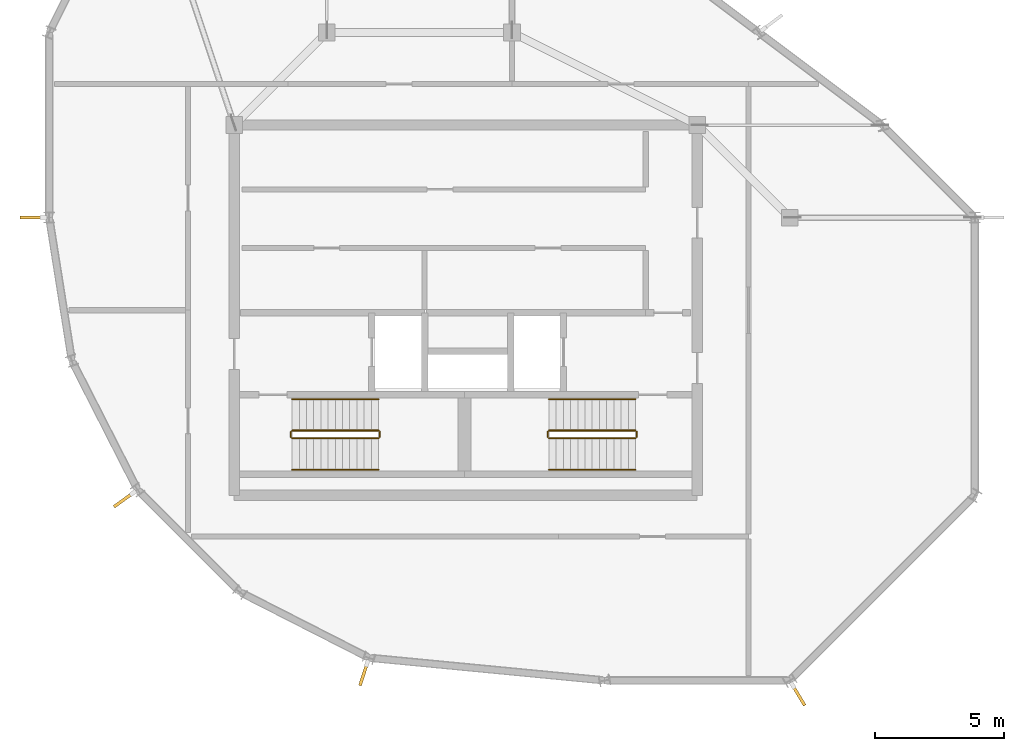
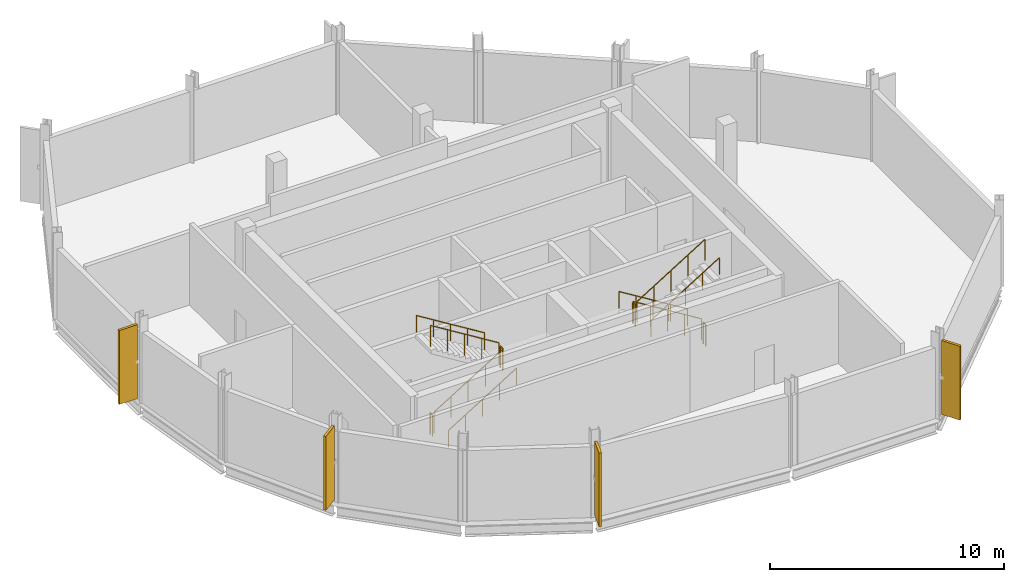
# One storey, part 4 of 5: 12 railings, 4 shading devices.
"""IFC4 building model written with IfcOpenShell, lengths in metres."""

from ifc_helpers import new_model, si_unit, direction, frame, origin, origin_2d, place, context, subcontext, project, spatial, rectangle, circle, extrude, material, type_object, element, save


model = new_model("IFC4")

# Units and contexts
model_context = context("Model", 3, precision=1e-05, world=origin(), true_north=direction((0.0, 1.0)))
body_context = subcontext(model_context, "Body", "Model", "MODEL_VIEW")
ifc_project = project(units=[si_unit("LENGTHUNIT", "METRE"), si_unit("AREAUNIT", "SQUARE_METRE"), si_unit("VOLUMEUNIT", "CUBIC_METRE"), si_unit("PLANEANGLEUNIT", "RADIAN"), si_unit("MASSUNIT", "GRAM", prefix="KILO")], contexts=[model_context])

# Site, building, storey
site_placement = place(None, origin())
site = spatial("IfcSite", under=ifc_project, at=site_placement, CompositionType="ELEMENT")
building_placement = place(site_placement, origin())
building = spatial("IfcBuilding", under=site, at=building_placement, Name="Solnavia Interchange Tower", CompositionType="ELEMENT")
storey_placement = place(building_placement, frame((0.0, 0.0, 313.199951171875)))
storey = spatial("IfcBuildingStorey", under=building, at=storey_placement, Name="C03", CompositionType="ELEMENT", Elevation=313.199951171875)

# Shading devices
ifc_material_1 = material(Name="Anodised Aluminium Fin", Category="aluminium")
shading_device_type = type_object("IfcShadingDeviceType", Name="CrownFin-Alu-900", PredefinedType="USERDEFINED", material=ifc_material_1)
for number, where, z_axis, x_axis, name in (
    (1, (6.52001953125, 21.60009765625, 0.199951171875), (0.0, 0.0, 1.0), (-1.0, 0.0, 0.0), "FIN-C03-F09 Crown ring vertical aerofoil fin"),
    (2, (10.087890625, 10.620361328125, 0.199951171875), (0.0, 0.0, 1.0), (-0.809016994375, -0.587785252292, 0.0), "FIN-C03-F11 Crown ring vertical aerofoil fin"),
    (3, (19.427978515625, 3.834228515625, 0.199951171875), (0.0, 0.0, 1.0), (-0.309016994375, -0.951056516295, 0.0), "FIN-C03-F13 Crown ring vertical aerofoil fin"),
    (4, (36.349853515625, 3.016845703125, 0.199951171875), (0.0, 0.0, 1.0), (0.514439533782, -0.857526656194, 0.0), "FIN-C03-F15 Crown ring vertical aerofoil fin"),
):
    element("IfcShadingDevice", number, at=place(storey_placement, frame(where, z_axis=z_axis, x_axis=x_axis)), inside=storey, type_object=shading_device_type, Name=name, ObjectType="FIN", PredefinedType="USERDEFINED", context=body_context, shape_type="SweptSolid", body=[
        extrude(rectangle(XDim=0.89990234375, YDim=0.1201171875, at=origin_2d()), origin(), (0.0, 0.0, 1.0), 3.85009765625),
    ])

# Railings
ifc_material_2 = material(Name="Painted Steel Balustrade", Category="steel")
railing_type_1 = type_object("IfcRailingType", Name="Railing-StairGuard-1100", PredefinedType="GUARDRAIL", material=ifc_material_2)
railing_1_placement = place(storey_placement, frame((16.64990234375, 13.02001953125, 0.173095703125)))
element("IfcRailing", 5, at=railing_1_placement, inside=storey, type_object=railing_type_1, Name="C03 ST-1 stair guard 1", PredefinedType="GUARDRAIL", context=body_context, shape_type="SweptSolid", body=[
    extrude(circle(Radius=0.02392578125, at=origin_2d()), frame((0.0, 0.0, 1.09619140625), z_axis=(0.850623216509, 0.0, 0.525775754039), x_axis=(0.0, 1.0, 0.0)), (0.0, 0.0, 1.0), 3.9501953125),
    extrude(circle(Radius=0.02099609375, at=origin_2d()), origin(), (0.0, 0.0, 1.0), 1.072021484375),
    extrude(circle(Radius=0.02099609375, at=origin_2d()), frame((0.840087890625, 0.0, 0.519287109375)), (0.0, 0.0, 1.0), 1.072021484375),
    extrude(circle(Radius=0.02099609375, at=origin_2d()), frame((1.68017578125, 0.0, 1.03857421875)), (0.0, 0.0, 1.0), 1.072021484375),
    extrude(circle(Radius=0.02099609375, at=origin_2d()), frame((2.52001953125, 0.0, 1.5576171875)), (0.0, 0.0, 1.0), 1.072021484375),
    extrude(circle(Radius=0.02099609375, at=origin_2d()), frame((3.360107421875, 0.0, 2.076904296875)), (0.0, 0.0, 1.0), 1.072021484375),
])
railing_2_placement = place(storey_placement, frame((20.06005859375, 13.070068359375, 2.25)))
element("IfcRailing", 6, at=railing_2_placement, inside=storey, type_object=railing_type_1, Name="C03 ST-1 stair guard 2", PredefinedType="GUARDRAIL", context=body_context, shape_type="SweptSolid", body=[
    extrude(circle(Radius=0.02392578125, at=origin_2d()), frame((0.0, 0.0, 1.09619140625), z_axis=(0.0, 1.0, 0.0), x_axis=(-1.0, 0.0, 0.0)), (0.0, 0.0, 1.0), 0.199951171875),
    extrude(circle(Radius=0.02099609375, at=origin_2d()), origin(), (0.0, 0.0, 1.0), 1.072021484375),
    extrude(circle(Radius=0.02099609375, at=origin_2d()), frame((0.0, 0.199951171875, 0.0)), (0.0, 0.0, 1.0), 1.072021484375),
])
railing_3_placement = place(storey_placement, frame((20.010009765625, 13.320068359375, 2.423095703125)))
element("IfcRailing", 7, at=railing_3_placement, inside=storey, type_object=railing_type_1, Name="C03 ST-1 stair guard 3", PredefinedType="GUARDRAIL", context=body_context, shape_type="SweptSolid", body=[
    extrude(circle(Radius=0.02392578125, at=origin_2d()), frame((0.0, 0.0, 1.09619140625), z_axis=(-0.850623216509, 0.0, 0.525775754039), x_axis=(0.0, -1.0, 0.0)), (0.0, 0.0, 1.0), 3.9501953125),
    extrude(circle(Radius=0.02099609375, at=origin_2d()), origin(), (0.0, 0.0, 1.0), 1.072021484375),
    extrude(circle(Radius=0.02099609375, at=origin_2d()), frame((-0.840087890625, 0.0, 0.519287109375)), (0.0, 0.0, 1.0), 1.072021484375),
    extrude(circle(Radius=0.02099609375, at=origin_2d()), frame((-1.68017578125, 0.0, 1.03857421875)), (0.0, 0.0, 1.0), 1.072021484375),
    extrude(circle(Radius=0.02099609375, at=origin_2d()), frame((-2.52001953125, 0.0, 1.5576171875)), (0.0, 0.0, 1.0), 1.072021484375),
    extrude(circle(Radius=0.02099609375, at=origin_2d()), frame((-3.360107421875, 0.0, 2.076904296875)), (0.0, 0.0, 1.0), 1.072021484375),
])
railing_4_placement = place(storey_placement, frame((16.60009765625, 13.070068359375, 0.0)))
element("IfcRailing", 8, at=railing_4_placement, inside=storey, type_object=railing_type_1, Name="C03 ST-1 stair guard 4", PredefinedType="GUARDRAIL", context=body_context, shape_type="SweptSolid", body=[
    extrude(circle(Radius=0.02392578125, at=origin_2d()), frame((0.0, 0.0, 1.09619140625), z_axis=(0.0, 1.0, 0.0), x_axis=(-1.0, 0.0, 0.0)), (0.0, 0.0, 1.0), 0.199951171875),
    extrude(circle(Radius=0.02099609375, at=origin_2d()), origin(), (0.0, 0.0, 1.0), 1.072021484375),
    extrude(circle(Radius=0.02099609375, at=origin_2d()), frame((0.0, 0.199951171875, 0.0)), (0.0, 0.0, 1.0), 1.072021484375),
])
railing_5_placement = place(storey_placement, frame((30.0, 13.320068359375, 0.173095703125)))
element("IfcRailing", 9, at=railing_5_placement, inside=storey, type_object=railing_type_1, Name="C03 ST-2 stair guard 1", PredefinedType="GUARDRAIL", context=body_context, shape_type="SweptSolid", body=[
    extrude(circle(Radius=0.02392578125, at=origin_2d()), frame((0.0, 0.0, 1.09619140625), z_axis=(-0.850623216509, 0.0, 0.525775754039), x_axis=(0.0, -1.0, 0.0)), (0.0, 0.0, 1.0), 3.9501953125),
    extrude(circle(Radius=0.02099609375, at=origin_2d()), origin(), (0.0, 0.0, 1.0), 1.072021484375),
    extrude(circle(Radius=0.02099609375, at=origin_2d()), frame((-0.840087890625, 0.0, 0.519287109375)), (0.0, 0.0, 1.0), 1.072021484375),
    extrude(circle(Radius=0.02099609375, at=origin_2d()), frame((-1.68017578125, 0.0, 1.03857421875)), (0.0, 0.0, 1.0), 1.072021484375),
    extrude(circle(Radius=0.02099609375, at=origin_2d()), frame((-2.52001953125, 0.0, 1.5576171875)), (0.0, 0.0, 1.0), 1.072021484375),
    extrude(circle(Radius=0.02099609375, at=origin_2d()), frame((-3.360107421875, 0.0, 2.076904296875)), (0.0, 0.0, 1.0), 1.072021484375),
])
railing_6_placement = place(storey_placement, frame((26.590087890625, 13.27001953125, 2.25)))
element("IfcRailing", 10, at=railing_6_placement, inside=storey, type_object=railing_type_1, Name="C03 ST-2 stair guard 2", PredefinedType="GUARDRAIL", context=body_context, shape_type="SweptSolid", body=[
    extrude(circle(Radius=0.02392578125, at=origin_2d()), frame((0.0, 0.0, 1.09619140625), z_axis=(0.0, -1.0, 0.0), x_axis=(1.0, 0.0, 0.0)), (0.0, 0.0, 1.0), 0.199951171875),
    extrude(circle(Radius=0.02099609375, at=origin_2d()), origin(), (0.0, 0.0, 1.0), 1.072021484375),
    extrude(circle(Radius=0.02099609375, at=origin_2d()), frame((0.0, -0.199951171875, 0.0)), (0.0, 0.0, 1.0), 1.072021484375),
])
railing_7_placement = place(storey_placement, frame((26.639892578125, 13.02001953125, 2.423095703125)))
element("IfcRailing", 11, at=railing_7_placement, inside=storey, type_object=railing_type_1, Name="C03 ST-2 stair guard 3", PredefinedType="GUARDRAIL", context=body_context, shape_type="SweptSolid", body=[
    extrude(circle(Radius=0.02392578125, at=origin_2d()), frame((0.0, 0.0, 1.09619140625), z_axis=(0.850623216509, 0.0, 0.525775754039), x_axis=(0.0, 1.0, 0.0)), (0.0, 0.0, 1.0), 3.9501953125),
    extrude(circle(Radius=0.02099609375, at=origin_2d()), origin(), (0.0, 0.0, 1.0), 1.072021484375),
    extrude(circle(Radius=0.02099609375, at=origin_2d()), frame((0.840087890625, 0.0, 0.519287109375)), (0.0, 0.0, 1.0), 1.072021484375),
    extrude(circle(Radius=0.02099609375, at=origin_2d()), frame((1.68017578125, 0.0, 1.03857421875)), (0.0, 0.0, 1.0), 1.072021484375),
    extrude(circle(Radius=0.02099609375, at=origin_2d()), frame((2.52001953125, 0.0, 1.5576171875)), (0.0, 0.0, 1.0), 1.072021484375),
    extrude(circle(Radius=0.02099609375, at=origin_2d()), frame((3.360107421875, 0.0, 2.076904296875)), (0.0, 0.0, 1.0), 1.072021484375),
])
railing_8_placement = place(storey_placement, frame((30.050048828125, 13.27001953125, 0.0)))
element("IfcRailing", 12, at=railing_8_placement, inside=storey, type_object=railing_type_1, Name="C03 ST-2 stair guard 4", PredefinedType="GUARDRAIL", context=body_context, shape_type="SweptSolid", body=[
    extrude(circle(Radius=0.02392578125, at=origin_2d()), frame((0.0, 0.0, 1.09619140625), z_axis=(0.0, -1.0, 0.0), x_axis=(1.0, 0.0, 0.0)), (0.0, 0.0, 1.0), 0.199951171875),
    extrude(circle(Radius=0.02099609375, at=origin_2d()), origin(), (0.0, 0.0, 1.0), 1.072021484375),
    extrude(circle(Radius=0.02099609375, at=origin_2d()), frame((0.0, -0.199951171875, 0.0)), (0.0, 0.0, 1.0), 1.072021484375),
])
ifc_material_3 = material(Name="Brushed Stainless Steel", Category="steel")
railing_type_2 = type_object("IfcRailingType", Name="Railing-StairHandrail-900", PredefinedType="HANDRAIL", material=ifc_material_3)
railing_9_placement = place(storey_placement, frame((16.64990234375, 11.800048828125, 0.173095703125)))
element("IfcRailing", 13, at=railing_9_placement, inside=storey, type_object=railing_type_2, Name="C03 ST-1 stair handrail 1", PredefinedType="HANDRAIL", context=body_context, shape_type="SweptSolid", body=[
    extrude(circle(Radius=0.02392578125, at=origin_2d()), frame((0.0, 0.0, 0.8759765625), z_axis=(0.850623216509, 0.0, 0.525775754039), x_axis=(0.0, 1.0, 0.0)), (0.0, 0.0, 1.0), 3.9501953125),
    extrude(circle(Radius=0.02099609375, at=origin_2d()), origin(), (0.0, 0.0, 1.0), 0.851806640625),
    extrude(circle(Radius=0.02099609375, at=origin_2d()), frame((0.840087890625, 0.0, 0.519287109375)), (0.0, 0.0, 1.0), 0.851806640625),
    extrude(circle(Radius=0.02099609375, at=origin_2d()), frame((1.68017578125, 0.0, 1.03857421875)), (0.0, 0.0, 1.0), 0.851806640625),
    extrude(circle(Radius=0.02099609375, at=origin_2d()), frame((2.52001953125, 0.0, 1.5576171875)), (0.0, 0.0, 1.0), 0.851806640625),
    extrude(circle(Radius=0.02099609375, at=origin_2d()), frame((3.360107421875, 0.0, 2.076904296875)), (0.0, 0.0, 1.0), 0.851806640625),
])
for number, where, name in (
    (14, (20.010009765625, 14.5400390625, 2.423095703125), "C03 ST-1 stair handrail 2"),
    (15, (30.0, 14.5400390625, 0.173095703125), "C03 ST-2 stair handrail 1"),
):
    element("IfcRailing", number, at=place(storey_placement, frame(where)), inside=storey, type_object=railing_type_2, Name=name, PredefinedType="HANDRAIL", context=body_context, shape_type="SweptSolid", body=[
        extrude(circle(Radius=0.02392578125, at=origin_2d()), frame((0.0, 0.0, 0.8759765625), z_axis=(-0.850623216509, 0.0, 0.525775754039), x_axis=(0.0, -1.0, 0.0)), (0.0, 0.0, 1.0), 3.9501953125),
        extrude(circle(Radius=0.02099609375, at=origin_2d()), origin(), (0.0, 0.0, 1.0), 0.851806640625),
        extrude(circle(Radius=0.02099609375, at=origin_2d()), frame((-0.840087890625, 0.0, 0.519287109375)), (0.0, 0.0, 1.0), 0.851806640625),
        extrude(circle(Radius=0.02099609375, at=origin_2d()), frame((-1.68017578125, 0.0, 1.03857421875)), (0.0, 0.0, 1.0), 0.851806640625),
        extrude(circle(Radius=0.02099609375, at=origin_2d()), frame((-2.52001953125, 0.0, 1.5576171875)), (0.0, 0.0, 1.0), 0.851806640625),
        extrude(circle(Radius=0.02099609375, at=origin_2d()), frame((-3.360107421875, 0.0, 2.076904296875)), (0.0, 0.0, 1.0), 0.851806640625),
    ])
railing_10_placement = place(storey_placement, frame((26.639892578125, 11.800048828125, 2.423095703125)))
element("IfcRailing", 16, at=railing_10_placement, inside=storey, type_object=railing_type_2, Name="C03 ST-2 stair handrail 2", PredefinedType="HANDRAIL", context=body_context, shape_type="SweptSolid", body=[
    extrude(circle(Radius=0.02392578125, at=origin_2d()), frame((0.0, 0.0, 0.8759765625), z_axis=(0.850623216509, 0.0, 0.525775754039), x_axis=(0.0, 1.0, 0.0)), (0.0, 0.0, 1.0), 3.9501953125),
    extrude(circle(Radius=0.02099609375, at=origin_2d()), origin(), (0.0, 0.0, 1.0), 0.851806640625),
    extrude(circle(Radius=0.02099609375, at=origin_2d()), frame((0.840087890625, 0.0, 0.519287109375)), (0.0, 0.0, 1.0), 0.851806640625),
    extrude(circle(Radius=0.02099609375, at=origin_2d()), frame((1.68017578125, 0.0, 1.03857421875)), (0.0, 0.0, 1.0), 0.851806640625),
    extrude(circle(Radius=0.02099609375, at=origin_2d()), frame((2.52001953125, 0.0, 1.5576171875)), (0.0, 0.0, 1.0), 0.851806640625),
    extrude(circle(Radius=0.02099609375, at=origin_2d()), frame((3.360107421875, 0.0, 2.076904296875)), (0.0, 0.0, 1.0), 0.851806640625),
])

save(model, "model.ifc")
